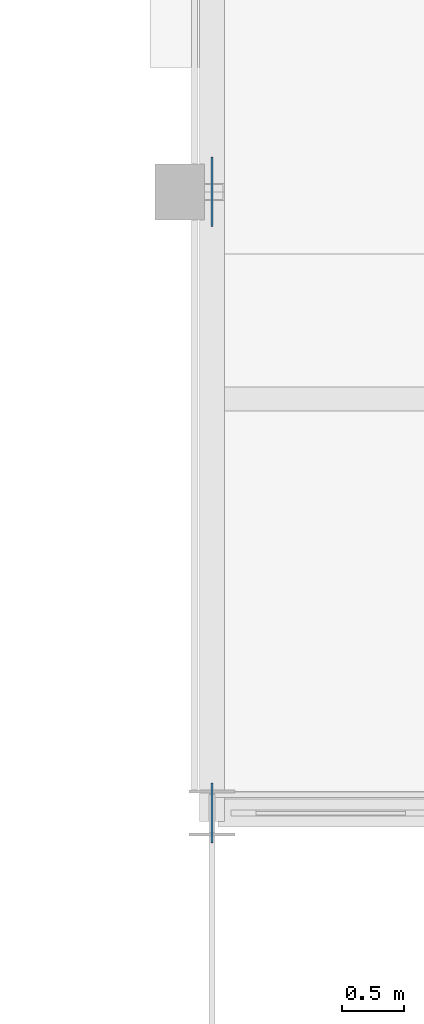
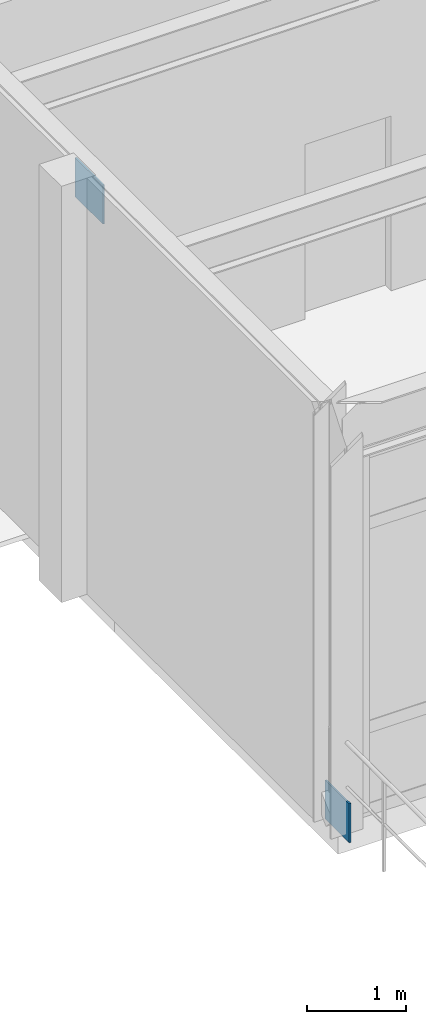
# One storey, part 62 of 79: 2 discrete accessories.
"""IFC4 building model written with IfcOpenShell, lengths in metres."""

from ifc_helpers import new_model, si_unit, direction, frame, origin, origin_2d, place, context, subcontext, project, spatial, rectangle, extrude, material, type_object, element, save


model = new_model("IFC4")

# Units and contexts
model_context = context("Model", 3, precision=1e-05, world=origin(), true_north=direction((0.0, 1.0)))
body_context = subcontext(model_context, "Body", "Model", "MODEL_VIEW")
ifc_project = project(units=[si_unit("LENGTHUNIT", "METRE"), si_unit("AREAUNIT", "SQUARE_METRE"), si_unit("VOLUMEUNIT", "CUBIC_METRE"), si_unit("PLANEANGLEUNIT", "RADIAN"), si_unit("MASSUNIT", "GRAM", prefix="KILO")], contexts=[model_context])

# Site, building, storey
site_placement = place(None, origin())
site = spatial("IfcSite", under=ifc_project, at=site_placement, CompositionType="ELEMENT")
building_placement = place(site_placement, origin())
building = spatial("IfcBuilding", under=site, at=building_placement, Name="Glasvene Arena", CompositionType="ELEMENT")
storey_placement = place(building_placement, origin())
storey = spatial("IfcBuildingStorey", under=building, at=storey_placement, Name="L00", CompositionType="ELEMENT", Elevation=0.0)

# Discrete accessories
ifc_material = material(Name="Steel S355J2", Category="steel")
discrete_accessory_type = type_object("IfcDiscreteAccessoryType", Name="ACC-BRACE-GP20", PredefinedType="BRACKET", material=ifc_material)
discrete_accessory_1_placement = place(storey_placement, frame((0.0, 54.0, -0.070068359375), z_axis=(0.0, 0.0, 1.0), x_axis=(1.0, 0.0, 0.0)))
element("IfcDiscreteAccessory", 1, at=discrete_accessory_1_placement, inside=storey, type_object=discrete_accessory_type, Name="Chevron brace base gusset plate L00-009-A", PredefinedType="BRACKET", context=body_context, shape_type="SweptSolid", body=[
    extrude(rectangle(XDim=0.02001953125, YDim=0.47998046875, at=origin_2d()), origin(), (0.0, 0.0, 1.0), 0.47998046875),
])
discrete_accessory_2_placement = place(storey_placement, frame((0.0, 59.0, 4.530029296875), z_axis=(0.0, 0.0, 1.0), x_axis=(1.0, 0.0, 0.0)))
element("IfcDiscreteAccessory", 2, at=discrete_accessory_2_placement, inside=storey, type_object=discrete_accessory_type, Name="Chevron brace apex gusset plate L00-010", PredefinedType="BRACKET", context=body_context, shape_type="SweptSolid", body=[
    extrude(rectangle(XDim=0.02001953125, YDim=0.56005859375, at=origin_2d()), origin(), (0.0, 0.0, 1.0), 0.47998046875),
])

save(model, "model.ifc")
